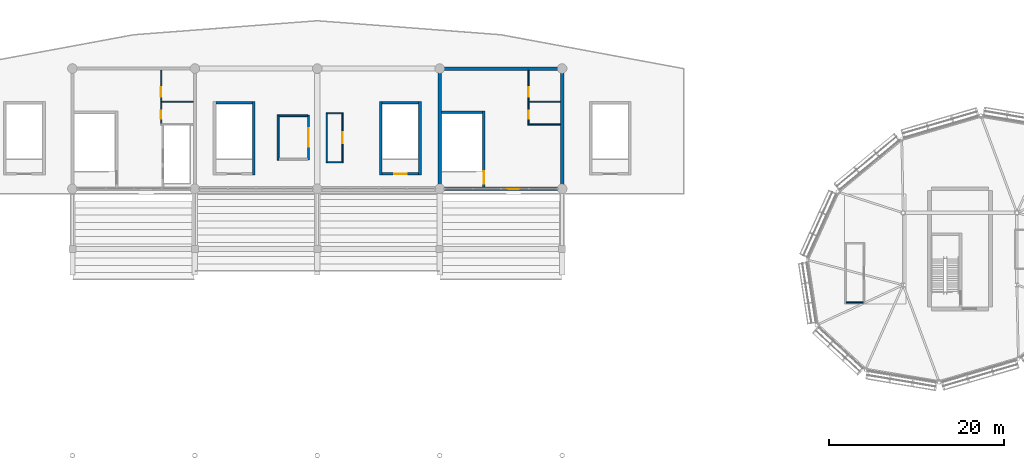
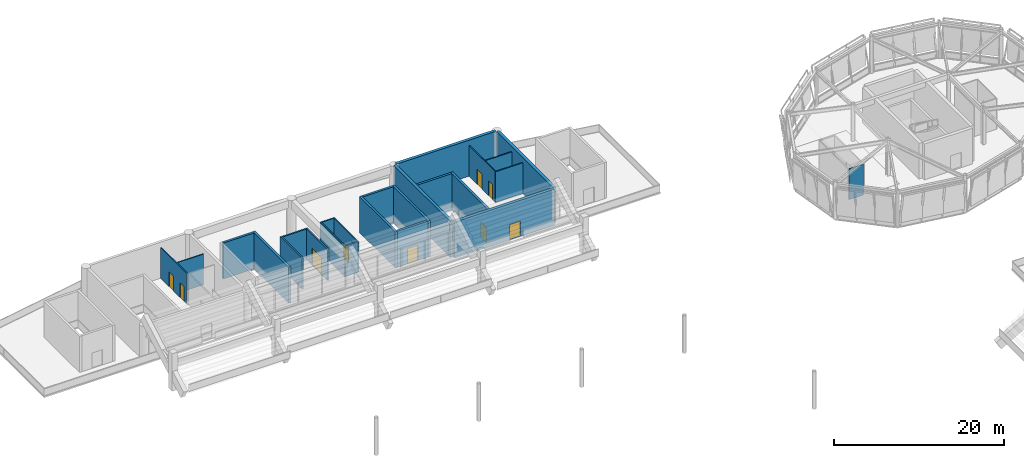
# One storey, part 77 of 90: 25 walls, 9 doors, 9 openings.
"""IFC4 building model written with IfcOpenShell, lengths in metres."""

from ifc_helpers import new_model, si_unit, direction, frame, frame_2d, origin, place, context, subcontext, project, spatial, rectangle, extrude, material, layer, layer_set, type_object, element, fill, save


model = new_model("IFC4")

# Units and contexts
model_context = context("Model", 3, precision=1e-05, world=origin(), true_north=direction((0.0, 1.0)))
body_context = subcontext(model_context, "Body", "Model", "MODEL_VIEW")
ifc_project = project(units=[si_unit("LENGTHUNIT", "METRE"), si_unit("AREAUNIT", "SQUARE_METRE"), si_unit("VOLUMEUNIT", "CUBIC_METRE"), si_unit("PLANEANGLEUNIT", "RADIAN"), si_unit("MASSUNIT", "GRAM", prefix="KILO")], contexts=[model_context])

# Site, building, storey
site_placement = place(None, origin())
site = spatial("IfcSite", under=ifc_project, at=site_placement, CompositionType="ELEMENT")
building_placement = place(site_placement, origin())
building = spatial("IfcBuilding", under=site, at=building_placement, Name="Linyun Crest Stadium", CompositionType="ELEMENT")
storey_placement = place(building_placement, frame((0.0, 0.0, 21.0)))
storey = spatial("IfcBuildingStorey", under=building, at=storey_placement, Name="L05", CompositionType="ELEMENT", Elevation=21.0)

# Walls
ifc_material_1 = material(Name="Concrete C50", Category="concrete")
ifc_layer_1 = layer(ifc_material_1, 0.39990234375)
ifc_layer_set_1 = layer_set([ifc_layer_1], Name="Concrete C50")
wall_type_1 = type_object("IfcWallType", Name="CW02", PredefinedType="SHEAR", material=ifc_layer_set_1)
for number, where, z_axis, x_axis, name in (
    (1, (14.0, 91.699951171875, 0.0), (0.0, 0.0, 1.0), (0.0, 1.0, 0.0), "Core shear wall CW02 CORE-N2 L05.1"),
    (2, (28.0, 91.699951171875, 0.0), (0.0, 0.0, 1.0), (0.0, 1.0, 0.0), "Core shear wall CW02 CORE-N2 L05.2"),
):
    element("IfcWall", number, at=place(storey_placement, frame(where, z_axis=z_axis, x_axis=x_axis)), inside=storey, type_object=wall_type_1, Name=name, PredefinedType="SHEAR", context=body_context, shape_type="SweptSolid", body=[
        extrude(rectangle(XDim=13.35009765625, YDim=0.39990234375, at=frame_2d((6.675048828125, 0.0))), origin(), (0.0, 0.0, 1.0), 5.18505859375),
    ])

# Wall, opening, door
wall_1_placement = place(storey_placement, frame((14.199951171875, 91.5, 0.0), z_axis=(0.0, 0.0, 1.0), x_axis=(1.0, 0.0, 0.0)))
wall_1 = element("IfcWall", 3, at=wall_1_placement, inside=storey, type_object=wall_type_1, Name="Core shear wall CW02 CORE-N2 L05.3", PredefinedType="SHEAR", context=body_context, shape_type="SweptSolid", body=[
    extrude(rectangle(XDim=13.60009765625, YDim=0.39990234375, at=frame_2d((6.800048828125, 0.0))), origin(), (0.0, 0.0, 1.0), 5.18505859375),
])
opening_1_placement = place(wall_1_placement, frame((7.47998046875, 0.0, 0.0)))
opening_1 = element("IfcOpeningElement", 4, at=opening_1_placement, cuts=wall_1, Name="Opening D-L05-312", PredefinedType="OPENING", context=body_context, shape_type="SweptSolid", body=[
    extrude(rectangle(XDim=1.5, YDim=2.199951171875, at=frame_2d((0.75, 1.10009765625))), frame((0.0, 0.2099609375, 0.0), z_axis=(0.0, -1.0, 0.0), x_axis=(1.0, 0.0, 0.0)), (0.0, 0.0, 1.0), 0.419921875),
])
ifc_material_2 = material(Name="Galvanized steel Class A fire door", Category="steel")
ifc_layer_2 = layer(ifc_material_2, 0.054931640625)
ifc_layer_set_2 = layer_set([ifc_layer_2], Name="Galvanized steel Class A fire door")
door_type_1 = type_object("IfcDoorType", Name="FD01", OperationType="NOTDEFINED", PredefinedType="DOOR", material=ifc_layer_set_2)
door_1_placement = place(opening_1_placement, origin())
door_1 = element("IfcDoor", 5, at=door_1_placement, inside=storey, type_object=door_type_1, Name="Door D-L05-312", OperationType="SINGLE_SWING_RIGHT", OverallHeight=2.199951171875, OverallWidth=1.5, PredefinedType="DOOR", context=body_context, shape_type="SweptSolid", body=[
    extrude(rectangle(XDim=1.5, YDim=2.199951171875, at=frame_2d((0.75, 1.10009765625))), frame((0.0, 0.02490234375, 0.0), z_axis=(0.0, -1.0, 0.0), x_axis=(1.0, 0.0, 0.0)), (0.0, 0.0, 1.0), 0.050048828125),
])
fill(opening_1, door_1)

# Wall
wall_2_placement = place(storey_placement, frame((14.199951171875, 105.25, 0.0), z_axis=(0.0, 0.0, 1.0), x_axis=(1.0, 0.0, 0.0)))
element("IfcWall", 6, at=wall_2_placement, inside=storey, type_object=wall_type_1, Name="Core shear wall CW02 CORE-N2 L05.4", PredefinedType="SHEAR", context=body_context, shape_type="SweptSolid", body=[
    extrude(rectangle(XDim=13.60009765625, YDim=0.39990234375, at=frame_2d((6.800048828125, 0.0))), origin(), (0.0, 0.0, 1.0), 5.18505859375),
])

# Wall, opening, door
ifc_material_3 = material(Name="Steel-stud gypsum corridor fire partition", Category="steel")
ifc_layer_3 = layer(ifc_material_3, 0.14990234375)
ifc_layer_set_3 = layer_set([ifc_layer_3], Name="Steel-stud gypsum corridor fire partition")
wall_type_2 = type_object("IfcWallType", Name="PW14", PredefinedType="PARTITIONING", material=ifc_layer_set_3)
wall_3_placement = place(storey_placement, frame((2.888916015625, 100.214111328125, 0.0), z_axis=(0.0, 0.0, 1.0), x_axis=(0.0, -1.0, 0.0)))
wall_3 = element("IfcWall", 7, at=wall_3_placement, inside=storey, type_object=wall_type_2, Name="Partition PW14 L05 235", PredefinedType="PARTITIONING", context=body_context, shape_type="SweptSolid", body=[
    extrude(rectangle(XDim=5.760009765625, YDim=0.14990234375, at=frame_2d((2.8798828125, 0.0))), origin(), (0.0, 0.0, 1.0), 4.419921875),
])
opening_2_placement = place(wall_3_placement, frame((2.2548828125, 0.0, 0.0)))
opening_2 = element("IfcOpeningElement", 8, at=opening_2_placement, cuts=wall_3, Name="Opening D-L05-498", PredefinedType="OPENING", context=body_context, shape_type="SweptSolid", body=[
    extrude(rectangle(XDim=1.25, YDim=2.199951171875, at=frame_2d((0.625, 1.10009765625))), frame((0.0, 0.0849609375, 0.0), z_axis=(0.0, -1.0, 0.0), x_axis=(1.0, 0.0, 0.0)), (0.0, 0.0, 1.0), 0.169921875),
])
ifc_material_4 = material(Name="Solid-core timber acoustic door", Category="wood")
ifc_layer_4 = layer(ifc_material_4, 0.050048828125)
ifc_layer_set_4 = layer_set([ifc_layer_4], Name="Solid-core timber acoustic door")
door_type_2 = type_object("IfcDoorType", Name="ID04", OperationType="NOTDEFINED", PredefinedType="DOOR", material=ifc_layer_set_4)
door_2_placement = place(opening_2_placement, origin())
door_2 = element("IfcDoor", 9, at=door_2_placement, inside=storey, type_object=door_type_2, Name="Door D-L05-498", OperationType="SINGLE_SWING_RIGHT", OverallHeight=2.199951171875, OverallWidth=1.25, PredefinedType="DOOR", context=body_context, shape_type="SweptSolid", body=[
    extrude(rectangle(XDim=1.25, YDim=2.199951171875, at=frame_2d((0.625, 1.10009765625))), frame((0.0, 0.02490234375, 0.0), z_axis=(0.0, -1.0, 0.0), x_axis=(1.0, 0.0, 0.0)), (0.0, 0.0, 1.0), 0.050048828125),
])
fill(opening_2, door_2)

# Walls
wall_4_placement = place(storey_placement, frame((1.089111328125, 94.4541015625, 0.0), z_axis=(0.0, 0.0, 1.0), x_axis=(0.0, 1.0, 0.0)))
element("IfcWall", 10, at=wall_4_placement, inside=storey, type_object=wall_type_2, Name="Enclosure partition PW14 L05 421", PredefinedType="PARTITIONING", context=body_context, shape_type="SweptSolid", body=[
    extrude(rectangle(XDim=5.760009765625, YDim=0.14990234375, at=frame_2d((2.8798828125, 0.0))), origin(), (0.0, 0.0, 1.0), 4.419921875),
])
for number, where, z_axis, x_axis, name in (
    (11, (1.1640625, 94.529052734375, 0.0), (0.0, 0.0, 1.0), (1.0, 0.0, 0.0), "Enclosure partition PW14 L05 422"),
    (12, (1.1640625, 100.138916015625, 0.0), (0.0, 0.0, 1.0), (1.0, 0.0, 0.0), "Enclosure partition PW14 L05 423"),
):
    element("IfcWall", number, at=place(storey_placement, frame(where, z_axis=z_axis, x_axis=x_axis)), inside=storey, type_object=wall_type_2, Name=name, PredefinedType="PARTITIONING", context=body_context, shape_type="SweptSolid", body=[
        extrude(rectangle(XDim=1.64990234375, YDim=0.14990234375, at=frame_2d((0.824951171875, 0.0))), origin(), (0.0, 0.0, 1.0), 4.419921875),
    ])

# Wall, openings, doors
ifc_material_5 = material(Name="Moisture-resistant ceramic-tiled wet-room wall")
ifc_layer_5 = layer(ifc_material_5, 0.139892578125)
ifc_layer_set_5 = layer_set([ifc_layer_5], Name="Moisture-resistant ceramic-tiled wet-room wall")
wall_type_3 = type_object("IfcWallType", Name="PW15", PredefinedType="PARTITIONING", material=ifc_layer_set_5)
wall_5_placement = place(storey_placement, frame((-17.85009765625, 98.919921875, 0.0), z_axis=(0.0, 0.0, 1.0), x_axis=(0.0, 1.0, 0.0)))
wall_5 = element("IfcWall", 13, at=wall_5_placement, inside=storey, type_object=wall_type_3, Name="Partition PW15 L05 104", PredefinedType="PARTITIONING", context=body_context, shape_type="SweptSolid", body=[
    extrude(rectangle(XDim=6.155029296875, YDim=0.139892578125, at=frame_2d((3.07763671875, 0.0))), origin(), (0.0, 0.0, 1.0), 4.419921875),
])
opening_3_placement = place(wall_5_placement, frame((0.580078125, 0.0, 0.0)))
opening_3 = element("IfcOpeningElement", 14, at=opening_3_placement, cuts=wall_5, Name="Opening D-L05-290", PredefinedType="OPENING", context=body_context, shape_type="SweptSolid", body=[
    extrude(rectangle(XDim=0.949951171875, YDim=2.14990234375, at=frame_2d((0.47509765625, 1.074951171875))), frame((0.0, 0.079833984375, 0.0), z_axis=(0.0, -1.0, 0.0), x_axis=(1.0, 0.0, 0.0)), (0.0, 0.0, 1.0), 0.159912109375),
])
opening_4_placement = place(wall_5_placement, frame((3.080078125, 0.0, 0.0)))
opening_4 = element("IfcOpeningElement", 15, at=opening_4_placement, cuts=wall_5, Name="Opening D-L05-291", PredefinedType="OPENING", context=body_context, shape_type="SweptSolid", body=[
    extrude(rectangle(XDim=1.10009765625, YDim=2.14990234375, at=frame_2d((0.550048828125, 1.074951171875))), frame((0.0, 0.079833984375, 0.0), z_axis=(0.0, -1.0, 0.0), x_axis=(1.0, 0.0, 0.0)), (0.0, 0.0, 1.0), 0.159912109375),
])
ifc_material_6 = material(Name="Moisture-resistant laminate leaf")
ifc_layer_6 = layer(ifc_material_6, 0.044921875)
ifc_layer_set_6 = layer_set([ifc_layer_6], Name="Moisture-resistant laminate leaf")
door_type_3 = type_object("IfcDoorType", Name="ID02", OperationType="NOTDEFINED", PredefinedType="DOOR", material=ifc_layer_set_6)
door_3_placement = place(opening_3_placement, origin())
door_3 = element("IfcDoor", 16, at=door_3_placement, inside=storey, type_object=door_type_3, Name="Door D-L05-290", OperationType="SINGLE_SWING_RIGHT", OverallHeight=2.14990234375, OverallWidth=0.949951171875, PredefinedType="DOOR", context=body_context, shape_type="SweptSolid", body=[
    extrude(rectangle(XDim=0.949951171875, YDim=2.14990234375, at=frame_2d((0.47509765625, 1.074951171875))), frame((0.0, 0.02490234375, 0.0), z_axis=(0.0, -1.0, 0.0), x_axis=(1.0, 0.0, 0.0)), (0.0, 0.0, 1.0), 0.050048828125),
])
fill(opening_3, door_3)
ifc_material_7 = material(Name="Moisture-resistant laminate leaf")
ifc_layer_7 = layer(ifc_material_7, 0.044921875)
ifc_layer_set_7 = layer_set([ifc_layer_7], Name="Moisture-resistant laminate leaf")
door_type_4 = type_object("IfcDoorType", Name="ID03", OperationType="NOTDEFINED", PredefinedType="DOOR", material=ifc_layer_set_7)
door_4_placement = place(opening_4_placement, origin())
door_4 = element("IfcDoor", 17, at=door_4_placement, inside=storey, type_object=door_type_4, Name="Door D-L05-291", OperationType="SINGLE_SWING_LEFT", OverallHeight=2.14990234375, OverallWidth=1.10009765625, PredefinedType="DOOR", context=body_context, shape_type="SweptSolid", body=[
    extrude(rectangle(XDim=1.10009765625, YDim=2.14990234375, at=frame_2d((0.550048828125, 1.074951171875))), frame((0.0, 0.02490234375, 0.0), z_axis=(0.0, -1.0, 0.0), x_axis=(1.0, 0.0, 0.0)), (0.0, 0.0, 1.0), 0.050048828125),
])
fill(opening_4, door_4)

wall_6_placement = place(storey_placement, frame((24.14990234375, 98.919921875, 0.0), z_axis=(0.0, 0.0, 1.0), x_axis=(0.0, 1.0, 0.0)))
wall_6 = element("IfcWall", 18, at=wall_6_placement, inside=storey, type_object=wall_type_3, Name="Partition PW15 L05 110", PredefinedType="PARTITIONING", context=body_context, shape_type="SweptSolid", body=[
    extrude(rectangle(XDim=6.130126953125, YDim=0.139892578125, at=frame_2d((3.06494140625, 0.0))), origin(), (0.0, 0.0, 1.0), 4.419921875),
])
opening_5_placement = place(wall_6_placement, frame((0.580078125, 0.0, 0.0)))
opening_5 = element("IfcOpeningElement", 19, at=opening_5_placement, cuts=wall_6, Name="Opening D-L05-314", PredefinedType="OPENING", context=body_context, shape_type="SweptSolid", body=[
    extrude(rectangle(XDim=0.949951171875, YDim=2.14990234375, at=frame_2d((0.47509765625, 1.074951171875))), frame((0.0, 0.079833984375, 0.0), z_axis=(0.0, -1.0, 0.0), x_axis=(1.0, 0.0, 0.0)), (0.0, 0.0, 1.0), 0.159912109375),
])
opening_6_placement = place(wall_6_placement, frame((3.080078125, 0.0, 0.0)))
opening_6 = element("IfcOpeningElement", 20, at=opening_6_placement, cuts=wall_6, Name="Opening D-L05-315", PredefinedType="OPENING", context=body_context, shape_type="SweptSolid", body=[
    extrude(rectangle(XDim=1.10009765625, YDim=2.14990234375, at=frame_2d((0.550048828125, 1.074951171875))), frame((0.0, 0.079833984375, 0.0), z_axis=(0.0, -1.0, 0.0), x_axis=(1.0, 0.0, 0.0)), (0.0, 0.0, 1.0), 0.159912109375),
])
door_5_placement = place(opening_5_placement, origin())
door_5 = element("IfcDoor", 21, at=door_5_placement, inside=storey, type_object=door_type_3, Name="Door D-L05-314", OperationType="SINGLE_SWING_RIGHT", OverallHeight=2.14990234375, OverallWidth=0.949951171875, PredefinedType="DOOR", context=body_context, shape_type="SweptSolid", body=[
    extrude(rectangle(XDim=0.949951171875, YDim=2.14990234375, at=frame_2d((0.47509765625, 1.074951171875))), frame((0.0, 0.02490234375, 0.0), z_axis=(0.0, -1.0, 0.0), x_axis=(1.0, 0.0, 0.0)), (0.0, 0.0, 1.0), 0.050048828125),
])
fill(opening_5, door_5)
door_6_placement = place(opening_6_placement, origin())
door_6 = element("IfcDoor", 22, at=door_6_placement, inside=storey, type_object=door_type_4, Name="Door D-L05-315", OperationType="SINGLE_SWING_LEFT", OverallHeight=2.14990234375, OverallWidth=1.10009765625, PredefinedType="DOOR", context=body_context, shape_type="SweptSolid", body=[
    extrude(rectangle(XDim=1.10009765625, YDim=2.14990234375, at=frame_2d((0.550048828125, 1.074951171875))), frame((0.0, 0.02490234375, 0.0), z_axis=(0.0, -1.0, 0.0), x_axis=(1.0, 0.0, 0.0)), (0.0, 0.0, 1.0), 0.050048828125),
])
fill(opening_6, door_6)

# Walls
wall_7_placement = place(storey_placement, frame((-17.780029296875, 101.449951171875, 0.0), z_axis=(0.0, 0.0, 1.0), x_axis=(1.0, 0.0, 0.0)))
element("IfcWall", 23, at=wall_7_placement, inside=storey, type_object=wall_type_3, Name="Enclosure partition PW15 L05 90", PredefinedType="PARTITIONING", context=body_context, shape_type="SweptSolid", body=[
    extrude(rectangle(XDim=3.60498046875, YDim=0.139892578125, at=frame_2d((1.802490234375, 0.0))), origin(), (0.0, 0.0, 1.0), 4.419921875),
])
wall_8_placement = place(storey_placement, frame((24.080078125, 98.85009765625, 0.0), z_axis=(0.0, 0.0, 1.0), x_axis=(1.0, 0.0, 0.0)))
element("IfcWall", 24, at=wall_8_placement, inside=storey, type_object=wall_type_3, Name="Enclosure partition PW15 L05 101", PredefinedType="PARTITIONING", context=body_context, shape_type="SweptSolid", body=[
    extrude(rectangle(XDim=3.719970703125, YDim=0.139892578125, at=frame_2d((1.85986328125, 0.0))), origin(), (0.0, 0.0, 1.0), 4.419921875),
])
wall_9_placement = place(storey_placement, frame((24.219970703125, 101.449951171875, 0.0), z_axis=(0.0, 0.0, 1.0), x_axis=(1.0, 0.0, 0.0)))
element("IfcWall", 25, at=wall_9_placement, inside=storey, type_object=wall_type_3, Name="Enclosure partition PW15 L05 102", PredefinedType="PARTITIONING", context=body_context, shape_type="SweptSolid", body=[
    extrude(rectangle(XDim=3.580078125, YDim=0.139892578125, at=frame_2d((1.7900390625, 0.0))), origin(), (0.0, 0.0, 1.0), 4.419921875),
])
ifc_material_8 = material(Name="Impact-resistant community sports hall lining")
ifc_layer_8 = layer(ifc_material_8, 0.135009765625)
ifc_layer_set_8 = layer_set([ifc_layer_8], Name="Impact-resistant community sports hall lining")
wall_type_4 = type_object("IfcWallType", Name="PW19", PredefinedType="PARTITIONING", material=ifc_layer_set_8)
wall_10_placement = place(storey_placement, frame((60.508056640625, 78.489990234375, 0.0), z_axis=(0.0, 0.0, 1.0), x_axis=(1.0, 0.0, 0.0)))
element("IfcWall", 26, at=wall_10_placement, inside=storey, type_object=wall_type_4, Name="Enclosure partition PW19 L05 431", PredefinedType="PARTITIONING", context=body_context, shape_type="SweptSolid", body=[
    extrude(rectangle(XDim=1.94384765625, YDim=0.135009765625, at=frame_2d((0.971923828125, 0.0))), origin(), (0.0, 0.0, 1.0), 4.419921875),
])

# Wall, opening, door
ifc_material_9 = material(Name="Kitchen hood and service riser enclosure wall")
ifc_layer_9 = layer(ifc_material_9, 0.2099609375)
ifc_layer_set_9 = layer_set([ifc_layer_9], Name="Kitchen hood and service riser enclosure wall")
wall_type_5 = type_object("IfcWallType", Name="PW26", PredefinedType="PARTITIONING", material=ifc_layer_set_9)
wall_11_placement = place(storey_placement, frame((-0.99609375, 99.949951171875, 0.0), z_axis=(0.0, 0.0, 1.0), x_axis=(0.0, -1.0, 0.0)))
wall_11 = element("IfcWall", 27, at=wall_11_placement, inside=storey, type_object=wall_type_5, Name="Partition PW26 L05 234", PredefinedType="PARTITIONING", context=body_context, shape_type="SweptSolid", body=[
    extrude(rectangle(XDim=5.179931640625, YDim=0.2099609375, at=frame_2d((2.58984375, 0.0))), origin(), (0.0, 0.0, 1.0), 4.419921875),
])
opening_7_placement = place(wall_11_placement, frame((1.514892578125, 0.0, 0.0)))
opening_7 = element("IfcOpeningElement", 28, at=opening_7_placement, cuts=wall_11, Name="Opening D-L05-497", PredefinedType="OPENING", context=body_context, shape_type="SweptSolid", body=[
    extrude(rectangle(XDim=2.14990234375, YDim=2.449951171875, at=frame_2d((1.074951171875, 1.22509765625))), frame((0.0, 0.114990234375, 0.0), z_axis=(0.0, -1.0, 0.0), x_axis=(1.0, 0.0, 0.0)), (0.0, 0.0, 1.0), 0.22998046875),
])
ifc_material_10 = material(Name="Anodized aluminium retail door", Category="aluminium")
ifc_layer_10 = layer(ifc_material_10, 0.054931640625)
ifc_layer_set_10 = layer_set([ifc_layer_10], Name="Anodized aluminium retail door")
door_type_5 = type_object("IfcDoorType", Name="ID18", OperationType="NOTDEFINED", PredefinedType="DOOR", material=ifc_layer_set_10)
door_7_placement = place(opening_7_placement, origin())
door_7 = element("IfcDoor", 29, at=door_7_placement, inside=storey, type_object=door_type_5, Name="Door D-L05-497", OperationType="DOUBLE_DOOR_SINGLE_SWING", OverallHeight=2.449951171875, OverallWidth=2.14990234375, PredefinedType="DOOR", context=body_context, shape_type="SweptSolid", body=[
    extrude(rectangle(XDim=2.14990234375, YDim=2.449951171875, at=frame_2d((1.074951171875, 1.22509765625))), frame((0.0, 0.02490234375, 0.0), z_axis=(0.0, -1.0, 0.0), x_axis=(1.0, 0.0, 0.0)), (0.0, 0.0, 1.0), 0.050048828125),
])
fill(opening_7, door_7)

# Walls
wall_12_placement = place(storey_placement, frame((-4.47607421875, 94.77001953125, 0.0), z_axis=(0.0, 0.0, 1.0), x_axis=(0.0, 1.0, 0.0)))
element("IfcWall", 30, at=wall_12_placement, inside=storey, type_object=wall_type_5, Name="Enclosure partition PW26 L05 418", PredefinedType="PARTITIONING", context=body_context, shape_type="SweptSolid", body=[
    extrude(rectangle(XDim=5.179931640625, YDim=0.2099609375, at=frame_2d((2.58984375, 0.0))), origin(), (0.0, 0.0, 1.0), 4.419921875),
])
wall_13_placement = place(storey_placement, frame((-4.37109375, 99.844970703125, 0.0), z_axis=(0.0, 0.0, 1.0), x_axis=(1.0, 0.0, 0.0)))
element("IfcWall", 31, at=wall_13_placement, inside=storey, type_object=wall_type_5, Name="Enclosure partition PW26 L05 420", PredefinedType="PARTITIONING", context=body_context, shape_type="SweptSolid", body=[
    extrude(rectangle(XDim=3.27001953125, YDim=0.2099609375, at=frame_2d((1.635009765625, 0.0))), origin(), (0.0, 0.0, 1.0), 4.419921875),
])

# Wall, opening, door
ifc_material_11 = material(Name="Concrete C50", Category="concrete")
ifc_layer_11 = layer(ifc_material_11, 0.300048828125)
ifc_layer_set_11 = layer_set([ifc_layer_11], Name="Concrete C50")
wall_type_6 = type_object("IfcWallType", Name="SW01", PredefinedType="SHEAR", material=ifc_layer_set_11)
wall_14_placement = place(storey_placement, frame((19.050048828125, 91.699951171875, 0.0), z_axis=(0.0, 0.0, 1.0), x_axis=(0.0, 1.0, 0.0)))
wall_14 = element("IfcWall", 32, at=wall_14_placement, inside=storey, type_object=wall_type_6, Name="Core stair east bearing wall SW01 8 L05", PredefinedType="SHEAR", context=body_context, shape_type="SweptSolid", body=[
    extrude(rectangle(XDim=8.699951171875, YDim=0.300048828125, at=frame_2d((4.35009765625, 0.0))), origin(), (0.0, 0.0, 1.0), 5.18505859375),
])
opening_8_placement = place(wall_14_placement, frame((0.3701171875, 0.0, 0.0)))
opening_8 = element("IfcOpeningElement", 33, at=opening_8_placement, cuts=wall_14, Name="Opening D-L05-313", PredefinedType="OPENING", context=body_context, shape_type="SweptSolid", body=[
    extrude(rectangle(XDim=1.449951171875, YDim=2.199951171875, at=frame_2d((0.72509765625, 1.10009765625))), frame((0.0, 0.159912109375, 0.0), z_axis=(0.0, -1.0, 0.0), x_axis=(1.0, 0.0, 0.0)), (0.0, 0.0, 1.0), 0.320068359375),
])
ifc_material_12 = material(Name="Galvanized steel Class A fire door", Category="steel")
ifc_layer_12 = layer(ifc_material_12, 0.054931640625)
ifc_layer_set_12 = layer_set([ifc_layer_12], Name="Galvanized steel Class A fire door")
door_type_6 = type_object("IfcDoorType", Name="FD02", OperationType="NOTDEFINED", PredefinedType="DOOR", material=ifc_layer_set_12)
door_8_placement = place(opening_8_placement, origin())
door_8 = element("IfcDoor", 34, at=door_8_placement, inside=storey, type_object=door_type_6, Name="Door D-L05-313", OperationType="SINGLE_SWING_LEFT", OverallHeight=2.199951171875, OverallWidth=1.449951171875, PredefinedType="DOOR", context=body_context, shape_type="SweptSolid", body=[
    extrude(rectangle(XDim=1.449951171875, YDim=2.199951171875, at=frame_2d((0.72509765625, 1.10009765625))), frame((0.0, 0.02490234375, 0.0), z_axis=(0.0, -1.0, 0.0), x_axis=(1.0, 0.0, 0.0)), (0.0, 0.0, 1.0), 0.050048828125),
])
fill(opening_8, door_8)

# Walls
wall_15_placement = place(storey_placement, frame((14.199951171875, 100.25, 0.0), z_axis=(0.0, 0.0, 1.0), x_axis=(1.0, 0.0, 0.0)))
element("IfcWall", 35, at=wall_15_placement, inside=storey, type_object=wall_type_6, Name="Core stair bearing wall SW01 8 L05", PredefinedType="SHEAR", context=body_context, shape_type="SweptSolid", body=[
    extrude(rectangle(XDim=4.699951171875, YDim=0.300048828125, at=frame_2d((2.35009765625, 0.0))), origin(), (0.0, 0.0, 1.0), 5.18505859375),
])
wall_16_placement = place(storey_placement, frame((-11.60009765625, 101.35009765625, 0.0), z_axis=(0.0, 0.0, 1.0), x_axis=(1.0, 0.0, 0.0)))
element("IfcWall", 36, at=wall_16_placement, inside=storey, type_object=wall_type_6, Name="Stair shaft wall SW01 STR-24 L05 N", PredefinedType="SHEAR", context=body_context, shape_type="SweptSolid", body=[
    extrude(rectangle(XDim=4.2001953125, YDim=0.300048828125, at=frame_2d((2.10009765625, 0.0))), origin(), (0.0, 0.0, 1.0), 5.18505859375),
])
wall_17_placement = place(storey_placement, frame((-7.25, 93.050048828125, 0.0), z_axis=(0.0, 0.0, 1.0), x_axis=(0.0, 1.0, 0.0)))
element("IfcWall", 37, at=wall_17_placement, inside=storey, type_object=wall_type_6, Name="Stair shaft wall SW01 STR-24 L05 E", PredefinedType="SHEAR", context=body_context, shape_type="SweptSolid", body=[
    extrude(rectangle(XDim=8.449951171875, YDim=0.300048828125, at=frame_2d((4.22509765625, 0.0))), origin(), (0.0, 0.0, 1.0), 5.18505859375),
])

# Wall, opening, door
wall_18_placement = place(storey_placement, frame((7.39990234375, 93.199951171875, 0.0), z_axis=(0.0, 0.0, 1.0), x_axis=(1.0, 0.0, 0.0)))
wall_18 = element("IfcWall", 38, at=wall_18_placement, inside=storey, type_object=wall_type_6, Name="Stair shaft wall SW01 STR-25 L05 S", PredefinedType="SHEAR", context=body_context, shape_type="SweptSolid", body=[
    extrude(rectangle(XDim=4.2001953125, YDim=0.300048828125, at=frame_2d((2.10009765625, 0.0))), origin(), (0.0, 0.0, 1.0), 5.18505859375),
])
opening_9_placement = place(wall_18_placement, frame((1.375, 0.0, 0.0)))
opening_9 = element("IfcOpeningElement", 39, at=opening_9_placement, cuts=wall_18, Name="Opening D-L05-609", PredefinedType="OPENING", context=body_context, shape_type="SweptSolid", body=[
    extrude(rectangle(XDim=1.449951171875, YDim=2.199951171875, at=frame_2d((0.72509765625, 1.10009765625))), frame((0.0, 0.159912109375, 0.0), z_axis=(0.0, -1.0, 0.0), x_axis=(1.0, 0.0, 0.0)), (0.0, 0.0, 1.0), 0.320068359375),
])
door_9_placement = place(opening_9_placement, origin())
door_9 = element("IfcDoor", 40, at=door_9_placement, inside=storey, type_object=door_type_6, Name="Door D-L05-609", OperationType="SINGLE_SWING_LEFT", OverallHeight=2.199951171875, OverallWidth=1.449951171875, PredefinedType="DOOR", context=body_context, shape_type="SweptSolid", body=[
    extrude(rectangle(XDim=1.449951171875, YDim=2.199951171875, at=frame_2d((0.72509765625, 1.10009765625))), frame((0.0, 0.02490234375, 0.0), z_axis=(0.0, -1.0, 0.0), x_axis=(1.0, 0.0, 0.0)), (0.0, 0.0, 1.0), 0.050048828125),
])
fill(opening_9, door_9)

# Walls
wall_19_placement = place(storey_placement, frame((7.39990234375, 101.35009765625, 0.0), z_axis=(0.0, 0.0, 1.0), x_axis=(1.0, 0.0, 0.0)))
element("IfcWall", 41, at=wall_19_placement, inside=storey, type_object=wall_type_6, Name="Stair shaft wall SW01 STR-25 L05 N", PredefinedType="SHEAR", context=body_context, shape_type="SweptSolid", body=[
    extrude(rectangle(XDim=4.2001953125, YDim=0.300048828125, at=frame_2d((2.10009765625, 0.0))), origin(), (0.0, 0.0, 1.0), 5.18505859375),
])
for number, where, z_axis, x_axis, name in (
    (42, (7.25, 93.050048828125, 0.0), (0.0, 0.0, 1.0), (0.0, 1.0, 0.0), "Stair shaft wall SW01 STR-25 L05 W"),
    (43, (11.75, 93.050048828125, 0.0), (0.0, 0.0, 1.0), (0.0, 1.0, 0.0), "Stair shaft wall SW01 STR-25 L05 E"),
):
    element("IfcWall", number, at=place(storey_placement, frame(where, z_axis=z_axis, x_axis=x_axis)), inside=storey, type_object=wall_type_6, Name=name, PredefinedType="SHEAR", context=body_context, shape_type="SweptSolid", body=[
        extrude(rectangle(XDim=8.449951171875, YDim=0.300048828125, at=frame_2d((4.22509765625, 0.0))), origin(), (0.0, 0.0, 1.0), 5.18505859375),
    ])

save(model, "model.ifc")
